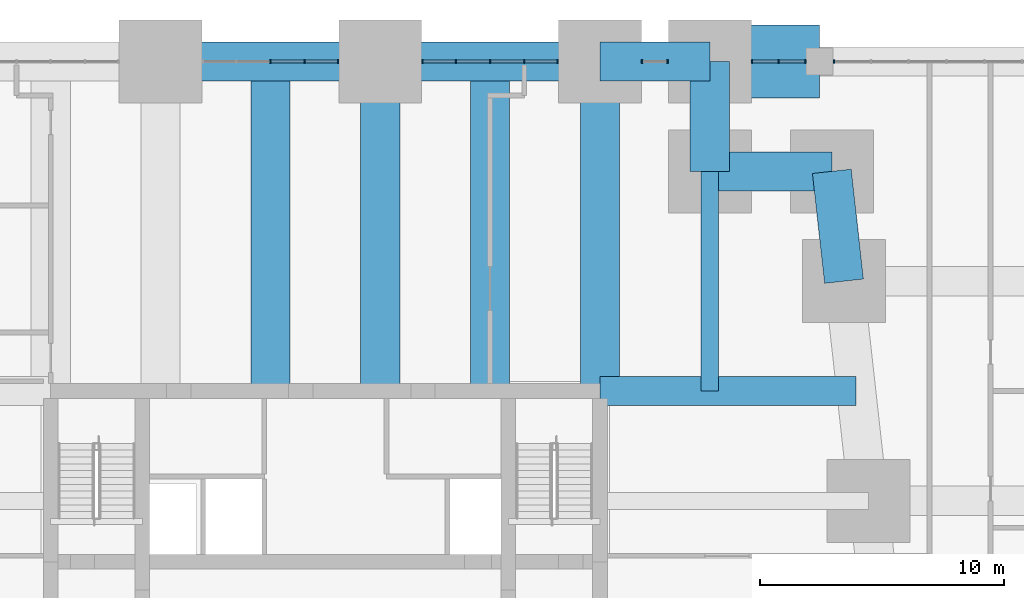
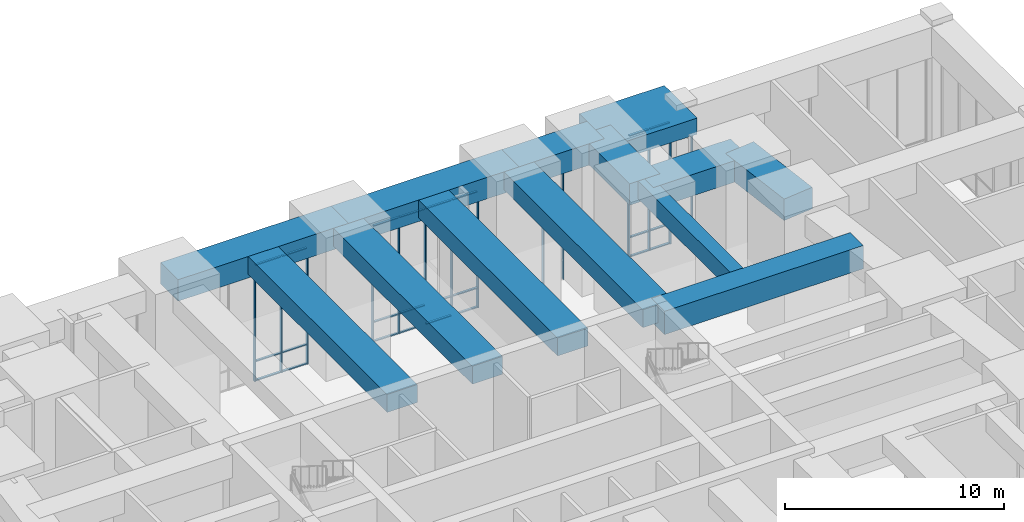
# One storey, part 10 of 26: 38 members, 13 beams, 5 elements without a shape of their own.
"""IFC4 building model written with IfcOpenShell, lengths in metres."""

from ifc_helpers import new_model, si_unit, direction, frame, origin, origin_2d, place, context, subcontext, project, spatial, rectangle, extrude, material, material_profile, profile_set, type_object, element, aggregate, save


model = new_model("IFC4")

# Units and contexts
model_context = context("Model", 3, precision=1e-05, world=origin(), true_north=direction((0.0, 1.0)))
body_context = subcontext(model_context, "Body", "Model", "MODEL_VIEW")
ifc_project = project(units=[si_unit("LENGTHUNIT", "METRE"), si_unit("AREAUNIT", "SQUARE_METRE"), si_unit("VOLUMEUNIT", "CUBIC_METRE"), si_unit("PLANEANGLEUNIT", "RADIAN"), si_unit("MASSUNIT", "GRAM", prefix="KILO")], contexts=[model_context])

# Site, building, storey
site_placement = place(None, origin())
site = spatial("IfcSite", under=ifc_project, at=site_placement, CompositionType="ELEMENT")
building_placement = place(site_placement, origin())
building = spatial("IfcBuilding", under=site, at=building_placement, Name="Kilele Tower Hotel", CompositionType="ELEMENT")
storey_placement = place(building_placement, frame((0.0, 0.0, 11.0)))
storey = spatial("IfcBuildingStorey", under=building, at=storey_placement, Name="L02", CompositionType="ELEMENT", Elevation=11.0)

# Beams
ifc_material_1 = material(Name="Concrete C60/75", Category="concrete")
ifc_material_profile_1 = material_profile(ifc_material_1, rectangle(XDim=1.60009765625, YDim=1.0, at=origin_2d()))
ifc_profile_set_1 = profile_set([ifc_material_profile_1], Name="Concrete C60/75")
beam_type_1 = type_object("IfcBeamType", Name="Beam RC 1600x1000 C60/75", PredefinedType="BEAM", material=ifc_profile_set_1)
for number, where, z_axis, x_axis, name in (
    (1, (36.0, 40.5, 7.199951171875), (0.0, -1.0, 0.0), (1.0, 0.0, 0.0), "Beam BC1 level L03"),
    (2, (31.5, 40.5, 7.199951171875), (0.0, -1.0, 0.0), (1.0, 0.0, 0.0), "Beam BC1 level L03"),
    (3, (27.0, 40.5, 7.199951171875), (0.0, -1.0, 0.0), (1.0, 0.0, 0.0), "Beam BC1 level L03"),
    (4, (22.5, 40.5, 7.199951171875), (0.0, -1.0, 0.0), (1.0, 0.0, 0.0), "Beam BC1 level L03"),
):
    element("IfcBeam", number, at=place(storey_placement, frame(where, z_axis=z_axis, x_axis=x_axis)), inside=storey, type_object=beam_type_1, Name=name, PredefinedType="BEAM", context=body_context, shape_type="SweptSolid", body=[
        extrude(rectangle(XDim=1.60009765625, YDim=1.0, at=origin_2d()), origin(), (0.0, 0.0, 1.0), 13.5),
    ])
ifc_material_2 = material(Name="Concrete C60/75", Category="concrete")
ifc_material_profile_2 = material_profile(ifc_material_2, rectangle(XDim=3.0, YDim=0.89990234375, at=origin_2d()))
ifc_profile_set_2 = profile_set([ifc_material_profile_2], Name="Concrete C60/75")
beam_type_2 = type_object("IfcBeamType", Name="Beam RC 3000x900 C60/75", PredefinedType="BEAM", material=ifc_profile_set_2)
beam_1_placement = place(storey_placement, frame((40.5, 40.5, 7.25), z_axis=(1.0, 0.0, 0.0), x_axis=(0.0, 1.0, 0.0)))
element("IfcBeam", 5, at=beam_1_placement, inside=storey, type_object=beam_type_2, Name="Beam PB1 level L03", PredefinedType="BEAM", context=body_context, shape_type="SweptSolid", body=[
    extrude(rectangle(XDim=3.0, YDim=0.89990234375, at=origin_2d()), origin(), (0.0, 0.0, 1.0), 4.5),
])
ifc_material_3 = material(Name="Concrete C60/75", Category="concrete")
ifc_material_profile_3 = material_profile(ifc_material_3, rectangle(XDim=0.699951171875, YDim=1.0, at=origin_2d()))
ifc_profile_set_3 = profile_set([ifc_material_profile_3], Name="Concrete C60/75")
beam_type_3 = type_object("IfcBeamType", Name="Beam RC 700x1000 C60/75 mid span", PredefinedType="BEAM", material=ifc_profile_set_3)
beam_2_placement = place(storey_placement, frame((40.5, 36.0, 7.199951171875), z_axis=(0.0, -1.0, 0.0), x_axis=(1.0, 0.0, 0.0)))
element("IfcBeam", 6, at=beam_2_placement, inside=storey, type_object=beam_type_3, Name="Beam B5 level L03", PredefinedType="BEAM", context=body_context, shape_type="SweptSolid", body=[
    extrude(rectangle(XDim=0.699951171875, YDim=1.0, at=origin_2d()), origin(), (0.0, 0.0, 1.0), 9.0),
])
ifc_material_4 = material(Name="Concrete C60/75", Category="concrete")
ifc_material_profile_4 = material_profile(ifc_material_4, rectangle(XDim=1.199951171875, YDim=1.300048828125, at=origin_2d()))
ifc_profile_set_4 = profile_set([ifc_material_profile_4], Name="Concrete C60/75")
beam_type_4 = type_object("IfcBeamType", Name="Girder RC 1200x1300 C60/75 mid span", PredefinedType="BEAM", material=ifc_profile_set_4)
beam_3_placement = place(storey_placement, frame((46.5, 27.0, 7.050048828125), z_axis=(-1.0, 0.0, 0.0), x_axis=(0.0, -1.0, 0.0)))
element("IfcBeam", 7, at=beam_3_placement, inside=storey, type_object=beam_type_4, Name="Girder G3 level L03", PredefinedType="BEAM", context=body_context, shape_type="SweptSolid", body=[
    extrude(rectangle(XDim=1.199951171875, YDim=1.300048828125, at=origin_2d()), origin(), (0.0, 0.0, 1.0), 10.5),
])

# Curtain wall, member
ifc_material_5 = material(Name="Aluminium curtain wall, clear double glazing", Category="aluminium")
curtain_wall_type = type_object("IfcCurtainWallType", Name="Podium curtain wall CW-1", PredefinedType="NOTDEFINED", material=ifc_material_5)
curtain_wall_1_placement = place(storey_placement, origin())
curtain_wall_1 = element("IfcCurtainWall", 8, at=curtain_wall_1_placement, inside=storey, type_object=curtain_wall_type, Name="Podium curtain wall CW-1 L02", PredefinedType="NOTDEFINED")
ifc_material_6 = material(Name="Aluminium EN AW-6063 T6", Category="aluminium")
ifc_material_profile_5 = material_profile(ifc_material_6, rectangle(XDim=0.159912109375, YDim=0.06005859375, at=origin_2d()))
ifc_profile_set_5 = profile_set([ifc_material_profile_5], Name="Aluminium EN AW-6063 T6")
member_type_1 = type_object("IfcMemberType", Name="Mullion 60x160 CW-1", PredefinedType="MULLION", material=ifc_profile_set_5)
member_1_placement = place(storey_placement, frame((45.580078125, 40.5, 0.0), z_axis=(0.0, 0.0, 1.0), x_axis=(0.0, -1.0, 0.0)))
member_1 = element("IfcMember", 9, at=member_1_placement, type_object=member_type_1, Name="CW-1 mullion 9", PredefinedType="MULLION", context=body_context, shape_type="SweptSolid", body=[
    extrude(rectangle(XDim=0.159912109375, YDim=0.06005859375, at=origin_2d()), origin(), (0.0, 0.0, 1.0), 6.0),
])
aggregate(curtain_wall_1, [member_1])

# Curtain wall, members
curtain_wall_2_placement = place(storey_placement, origin())
curtain_wall_2 = element("IfcCurtainWall", 10, at=curtain_wall_2_placement, inside=storey, type_object=curtain_wall_type, Name="Podium curtain wall CW-1 L02", PredefinedType="NOTDEFINED")
member_2_placement = place(storey_placement, frame((44.419921875, 40.5, 0.0), z_axis=(0.0, 0.0, 1.0), x_axis=(0.0, -1.0, 0.0)))
member_2 = element("IfcMember", 11, at=member_2_placement, type_object=member_type_1, Name="CW-1 mullion 1", PredefinedType="MULLION", context=body_context, shape_type="SweptSolid", body=[
    extrude(rectangle(XDim=0.159912109375, YDim=0.06005859375, at=origin_2d()), origin(), (0.0, 0.0, 1.0), 6.800048828125),
])
member_3_placement = place(storey_placement, frame((43.324951171875, 40.5, 0.0), z_axis=(0.0, 0.0, 1.0), x_axis=(0.0, -1.0, 0.0)))
member_3 = element("IfcMember", 12, at=member_3_placement, type_object=member_type_1, Name="CW-1 mullion 2", PredefinedType="MULLION", context=body_context, shape_type="SweptSolid", body=[
    extrude(rectangle(XDim=0.159912109375, YDim=0.06005859375, at=origin_2d()), origin(), (0.0, 0.0, 1.0), 6.800048828125),
])
member_4_placement = place(storey_placement, frame((42.22998046875, 40.5, 0.0), z_axis=(0.0, 0.0, 1.0), x_axis=(0.0, -1.0, 0.0)))
member_4 = element("IfcMember", 13, at=member_4_placement, type_object=member_type_1, Name="CW-1 mullion 3", PredefinedType="MULLION", context=body_context, shape_type="SweptSolid", body=[
    extrude(rectangle(XDim=0.159912109375, YDim=0.06005859375, at=origin_2d()), origin(), (0.0, 0.0, 1.0), 6.800048828125),
])

curtain_wall_3_placement = place(storey_placement, origin())
curtain_wall_3 = element("IfcCurtainWall", 14, at=curtain_wall_3_placement, inside=storey, type_object=curtain_wall_type, Name="Podium curtain wall CW-1 L02", PredefinedType="NOTDEFINED")
member_5_placement = place(storey_placement, frame((38.77001953125, 40.5, 0.0), z_axis=(0.0, 0.0, 1.0), x_axis=(0.0, -1.0, 0.0)))
member_5 = element("IfcMember", 15, at=member_5_placement, type_object=member_type_1, Name="CW-1 mullion 1", PredefinedType="MULLION", context=body_context, shape_type="SweptSolid", body=[
    extrude(rectangle(XDim=0.159912109375, YDim=0.06005859375, at=origin_2d()), origin(), (0.0, 0.0, 1.0), 6.5),
])
member_6_placement = place(storey_placement, frame((37.72998046875, 40.5, 0.0), z_axis=(0.0, 0.0, 1.0), x_axis=(0.0, -1.0, 0.0)))
member_6 = element("IfcMember", 16, at=member_6_placement, type_object=member_type_1, Name="CW-1 mullion 2", PredefinedType="MULLION", context=body_context, shape_type="SweptSolid", body=[
    extrude(rectangle(XDim=0.159912109375, YDim=0.06005859375, at=origin_2d()), origin(), (0.0, 0.0, 1.0), 6.5),
])
aggregate(curtain_wall_3, [member_5, member_6])

curtain_wall_4_placement = place(storey_placement, origin())
curtain_wall_4 = element("IfcCurtainWall", 17, at=curtain_wall_4_placement, inside=storey, type_object=curtain_wall_type, Name="Podium curtain wall CW-1 L02", PredefinedType="NOTDEFINED")
member_7_placement = place(storey_placement, frame((34.27001953125, 40.5, 0.0), z_axis=(0.0, 0.0, 1.0), x_axis=(0.0, -1.0, 0.0)))
member_7 = element("IfcMember", 18, at=member_7_placement, type_object=member_type_1, Name="CW-1 mullion 1", PredefinedType="MULLION", context=body_context, shape_type="SweptSolid", body=[
    extrude(rectangle(XDim=0.159912109375, YDim=0.06005859375, at=origin_2d()), origin(), (0.0, 0.0, 1.0), 6.5),
])
member_8_placement = place(storey_placement, frame((32.89990234375, 40.5, 0.0), z_axis=(0.0, 0.0, 1.0), x_axis=(0.0, -1.0, 0.0)))
member_8 = element("IfcMember", 19, at=member_8_placement, type_object=member_type_1, Name="CW-1 mullion 2", PredefinedType="MULLION", context=body_context, shape_type="SweptSolid", body=[
    extrude(rectangle(XDim=0.159912109375, YDim=0.06005859375, at=origin_2d()), origin(), (0.0, 0.0, 1.0), 6.5),
])
member_9_placement = place(storey_placement, frame((31.5, 40.5, 0.0), z_axis=(0.0, 0.0, 1.0), x_axis=(0.0, -1.0, 0.0)))
member_9 = element("IfcMember", 20, at=member_9_placement, type_object=member_type_1, Name="CW-1 mullion 3", PredefinedType="MULLION", context=body_context, shape_type="SweptSolid", body=[
    extrude(rectangle(XDim=0.159912109375, YDim=0.06005859375, at=origin_2d()), origin(), (0.0, 0.0, 1.0), 6.5),
])
member_10_placement = place(storey_placement, frame((30.10009765625, 40.5, 0.0), z_axis=(0.0, 0.0, 1.0), x_axis=(0.0, -1.0, 0.0)))
member_10 = element("IfcMember", 21, at=member_10_placement, type_object=member_type_1, Name="CW-1 mullion 4", PredefinedType="MULLION", context=body_context, shape_type="SweptSolid", body=[
    extrude(rectangle(XDim=0.159912109375, YDim=0.06005859375, at=origin_2d()), origin(), (0.0, 0.0, 1.0), 6.5),
])
member_11_placement = place(storey_placement, frame((28.72998046875, 40.5, 0.0), z_axis=(0.0, 0.0, 1.0), x_axis=(0.0, -1.0, 0.0)))
member_11 = element("IfcMember", 22, at=member_11_placement, type_object=member_type_1, Name="CW-1 mullion 5", PredefinedType="MULLION", context=body_context, shape_type="SweptSolid", body=[
    extrude(rectangle(XDim=0.159912109375, YDim=0.06005859375, at=origin_2d()), origin(), (0.0, 0.0, 1.0), 6.5),
])

curtain_wall_5_placement = place(storey_placement, origin())
curtain_wall_5 = element("IfcCurtainWall", 23, at=curtain_wall_5_placement, inside=storey, type_object=curtain_wall_type, Name="Podium curtain wall CW-1 L02", PredefinedType="NOTDEFINED")
member_12_placement = place(storey_placement, frame((25.27001953125, 40.5, 0.0), z_axis=(0.0, 0.0, 1.0), x_axis=(0.0, -1.0, 0.0)))
member_12 = element("IfcMember", 24, at=member_12_placement, type_object=member_type_1, Name="CW-1 mullion 1", PredefinedType="MULLION", context=body_context, shape_type="SweptSolid", body=[
    extrude(rectangle(XDim=0.159912109375, YDim=0.06005859375, at=origin_2d()), origin(), (0.0, 0.0, 1.0), 6.5),
])
member_13_placement = place(storey_placement, frame((23.89990234375, 40.5, 0.0), z_axis=(0.0, 0.0, 1.0), x_axis=(0.0, -1.0, 0.0)))
member_13 = element("IfcMember", 25, at=member_13_placement, type_object=member_type_1, Name="CW-1 mullion 2", PredefinedType="MULLION", context=body_context, shape_type="SweptSolid", body=[
    extrude(rectangle(XDim=0.159912109375, YDim=0.06005859375, at=origin_2d()), origin(), (0.0, 0.0, 1.0), 6.5),
])
member_14_placement = place(storey_placement, frame((22.5, 40.5, 0.0), z_axis=(0.0, 0.0, 1.0), x_axis=(0.0, -1.0, 0.0)))
member_14 = element("IfcMember", 26, at=member_14_placement, type_object=member_type_1, Name="CW-1 mullion 3", PredefinedType="MULLION", context=body_context, shape_type="SweptSolid", body=[
    extrude(rectangle(XDim=0.159912109375, YDim=0.06005859375, at=origin_2d()), origin(), (0.0, 0.0, 1.0), 6.5),
])

# Beams
ifc_material_7 = material(Name="Concrete C60/75", Category="concrete")
ifc_material_profile_6 = material_profile(ifc_material_7, rectangle(XDim=1.60009765625, YDim=1.199951171875, at=origin_2d()))
ifc_profile_set_6 = profile_set([ifc_material_profile_6], Name="Concrete C60/75")
beam_type_5 = type_object("IfcBeamType", Name="Spandrel RC 1600x1200 C60/75", PredefinedType="SPANDREL", material=ifc_profile_set_6)
beam_4_placement = place(storey_placement, frame((46.0, 31.5, 7.10009765625), z_axis=(-0.110431526075, 0.993883734674, 0.0), x_axis=(-0.993883734674, -0.110431526075, 0.0)))
element("IfcBeam", 27, at=beam_4_placement, inside=storey, type_object=beam_type_5, Name="Spandrel SP11 level L03", PredefinedType="SPANDREL", context=body_context, shape_type="SweptSolid", body=[
    extrude(rectangle(XDim=1.60009765625, YDim=1.199951171875, at=origin_2d()), origin(), (0.0, 0.0, 1.0), 4.527587890625),
])
beam_5_placement = place(storey_placement, frame((45.5, 36.0, 7.10009765625), z_axis=(-1.0, 0.0, 0.0), x_axis=(0.0, -1.0, 0.0)))
element("IfcBeam", 28, at=beam_5_placement, inside=storey, type_object=beam_type_5, Name="Spandrel SP11 level L03", PredefinedType="SPANDREL", context=body_context, shape_type="SweptSolid", body=[
    extrude(rectangle(XDim=1.60009765625, YDim=1.199951171875, at=origin_2d()), origin(), (0.0, 0.0, 1.0), 5.0),
])
for number, where, z_axis, x_axis, name in (
    (29, (40.5, 36.0, 7.10009765625), (0.0, 1.0, 0.0), (-1.0, 0.0, 0.0), "Spandrel SP11 level L03"),
    (30, (40.5, 40.5, 7.10009765625), (-1.0, 0.0, 0.0), (0.0, -1.0, 0.0), "Spandrel SP11 level L03"),
):
    element("IfcBeam", number, at=place(storey_placement, frame(where, z_axis=z_axis, x_axis=x_axis)), inside=storey, type_object=beam_type_5, Name=name, PredefinedType="SPANDREL", context=body_context, shape_type="SweptSolid", body=[
        extrude(rectangle(XDim=1.60009765625, YDim=1.199951171875, at=origin_2d()), origin(), (0.0, 0.0, 1.0), 4.5),
    ])
for number, where, z_axis, x_axis, name in (
    (31, (36.0, 40.5, 7.10009765625), (-1.0, 0.0, 0.0), (0.0, -1.0, 0.0), "Spandrel SP11 level L03"),
    (32, (27.0, 40.5, 7.10009765625), (-1.0, 0.0, 0.0), (0.0, -1.0, 0.0), "Spandrel SP11 level L03"),
):
    element("IfcBeam", number, at=place(storey_placement, frame(where, z_axis=z_axis, x_axis=x_axis)), inside=storey, type_object=beam_type_5, Name=name, PredefinedType="SPANDREL", context=body_context, shape_type="SweptSolid", body=[
        extrude(rectangle(XDim=1.60009765625, YDim=1.199951171875, at=origin_2d()), origin(), (0.0, 0.0, 1.0), 9.0),
    ])

# Member
ifc_material_8 = material(Name="Aluminium EN AW-6063 T6", Category="aluminium")
ifc_material_profile_7 = material_profile(ifc_material_8, rectangle(XDim=0.1201171875, YDim=0.06005859375, at=origin_2d()))
ifc_profile_set_7 = profile_set([ifc_material_profile_7], Name="Aluminium EN AW-6063 T6")
member_type_2 = type_object("IfcMemberType", Name="Transom 60x120 CW-1", PredefinedType="USERDEFINED", material=ifc_profile_set_7)
member_15_placement = place(storey_placement, frame((44.389892578125, 40.5, 0.030029296875), z_axis=(-1.0, 0.0, 0.0), x_axis=(0.0, -1.0, 0.0)))
member_15 = element("IfcMember", 33, at=member_15_placement, type_object=member_type_2, Name="CW-1 transom 1.1", ObjectType="TRANSOM", PredefinedType="USERDEFINED", context=body_context, shape_type="SweptSolid", body=[
    extrude(rectangle(XDim=0.1201171875, YDim=0.06005859375, at=origin_2d()), origin(), (0.0, 0.0, 1.0), 1.034912109375),
])

member_16_placement = place(storey_placement, frame((44.389892578125, 40.5, 1.10009765625), z_axis=(-1.0, 0.0, 0.0), x_axis=(0.0, -1.0, 0.0)))
member_16 = element("IfcMember", 34, at=member_16_placement, type_object=member_type_2, Name="CW-1 transom 1.2", ObjectType="TRANSOM", PredefinedType="USERDEFINED", context=body_context, shape_type="SweptSolid", body=[
    extrude(rectangle(XDim=0.1201171875, YDim=0.06005859375, at=origin_2d()), origin(), (0.0, 0.0, 1.0), 1.034912109375),
])

member_17_placement = place(storey_placement, frame((44.389892578125, 40.5, 6.77001953125), z_axis=(-1.0, 0.0, 0.0), x_axis=(0.0, -1.0, 0.0)))
member_17 = element("IfcMember", 35, at=member_17_placement, type_object=member_type_2, Name="CW-1 transom 1.3", ObjectType="TRANSOM", PredefinedType="USERDEFINED", context=body_context, shape_type="SweptSolid", body=[
    extrude(rectangle(XDim=0.1201171875, YDim=0.06005859375, at=origin_2d()), origin(), (0.0, 0.0, 1.0), 1.034912109375),
])

member_18_placement = place(storey_placement, frame((43.294921875, 40.5, 0.030029296875), z_axis=(-1.0, 0.0, 0.0), x_axis=(0.0, -1.0, 0.0)))
member_18 = element("IfcMember", 36, at=member_18_placement, type_object=member_type_2, Name="CW-1 transom 2.1", ObjectType="TRANSOM", PredefinedType="USERDEFINED", context=body_context, shape_type="SweptSolid", body=[
    extrude(rectangle(XDim=0.1201171875, YDim=0.06005859375, at=origin_2d()), origin(), (0.0, 0.0, 1.0), 1.034912109375),
])

member_19_placement = place(storey_placement, frame((43.294921875, 40.5, 1.10009765625), z_axis=(-1.0, 0.0, 0.0), x_axis=(0.0, -1.0, 0.0)))
member_19 = element("IfcMember", 37, at=member_19_placement, type_object=member_type_2, Name="CW-1 transom 2.2", ObjectType="TRANSOM", PredefinedType="USERDEFINED", context=body_context, shape_type="SweptSolid", body=[
    extrude(rectangle(XDim=0.1201171875, YDim=0.06005859375, at=origin_2d()), origin(), (0.0, 0.0, 1.0), 1.034912109375),
])

member_20_placement = place(storey_placement, frame((43.294921875, 40.5, 6.77001953125), z_axis=(-1.0, 0.0, 0.0), x_axis=(0.0, -1.0, 0.0)))
member_20 = element("IfcMember", 38, at=member_20_placement, type_object=member_type_2, Name="CW-1 transom 2.3", ObjectType="TRANSOM", PredefinedType="USERDEFINED", context=body_context, shape_type="SweptSolid", body=[
    extrude(rectangle(XDim=0.1201171875, YDim=0.06005859375, at=origin_2d()), origin(), (0.0, 0.0, 1.0), 1.034912109375),
])

aggregate(curtain_wall_2, [member_2, member_3, member_4, member_15, member_16, member_17, member_18, member_19, member_20])

member_21_placement = place(storey_placement, frame((34.239990234375, 40.5, 0.030029296875), z_axis=(-1.0, 0.0, 0.0), x_axis=(0.0, -1.0, 0.0)))
member_21 = element("IfcMember", 39, at=member_21_placement, type_object=member_type_2, Name="CW-1 transom 1.1", ObjectType="TRANSOM", PredefinedType="USERDEFINED", context=body_context, shape_type="SweptSolid", body=[
    extrude(rectangle(XDim=0.1201171875, YDim=0.06005859375, at=origin_2d()), origin(), (0.0, 0.0, 1.0), 1.31005859375),
])

member_22_placement = place(storey_placement, frame((34.239990234375, 40.5, 1.10009765625), z_axis=(-1.0, 0.0, 0.0), x_axis=(0.0, -1.0, 0.0)))
member_22 = element("IfcMember", 40, at=member_22_placement, type_object=member_type_2, Name="CW-1 transom 1.2", ObjectType="TRANSOM", PredefinedType="USERDEFINED", context=body_context, shape_type="SweptSolid", body=[
    extrude(rectangle(XDim=0.1201171875, YDim=0.06005859375, at=origin_2d()), origin(), (0.0, 0.0, 1.0), 1.31005859375),
])

member_23_placement = place(storey_placement, frame((34.239990234375, 40.5, 6.469970703125), z_axis=(-1.0, 0.0, 0.0), x_axis=(0.0, -1.0, 0.0)))
member_23 = element("IfcMember", 41, at=member_23_placement, type_object=member_type_2, Name="CW-1 transom 1.3", ObjectType="TRANSOM", PredefinedType="USERDEFINED", context=body_context, shape_type="SweptSolid", body=[
    extrude(rectangle(XDim=0.1201171875, YDim=0.06005859375, at=origin_2d()), origin(), (0.0, 0.0, 1.0), 1.31005859375),
])

member_24_placement = place(storey_placement, frame((32.8701171875, 40.5, 0.030029296875), z_axis=(-1.0, 0.0, 0.0), x_axis=(0.0, -1.0, 0.0)))
member_24 = element("IfcMember", 42, at=member_24_placement, type_object=member_type_2, Name="CW-1 transom 2.1", ObjectType="TRANSOM", PredefinedType="USERDEFINED", context=body_context, shape_type="SweptSolid", body=[
    extrude(rectangle(XDim=0.1201171875, YDim=0.06005859375, at=origin_2d()), origin(), (0.0, 0.0, 1.0), 1.340087890625),
])

member_25_placement = place(storey_placement, frame((32.8701171875, 40.5, 1.10009765625), z_axis=(-1.0, 0.0, 0.0), x_axis=(0.0, -1.0, 0.0)))
member_25 = element("IfcMember", 43, at=member_25_placement, type_object=member_type_2, Name="CW-1 transom 2.2", ObjectType="TRANSOM", PredefinedType="USERDEFINED", context=body_context, shape_type="SweptSolid", body=[
    extrude(rectangle(XDim=0.1201171875, YDim=0.06005859375, at=origin_2d()), origin(), (0.0, 0.0, 1.0), 1.340087890625),
])

member_26_placement = place(storey_placement, frame((32.8701171875, 40.5, 6.469970703125), z_axis=(-1.0, 0.0, 0.0), x_axis=(0.0, -1.0, 0.0)))
member_26 = element("IfcMember", 44, at=member_26_placement, type_object=member_type_2, Name="CW-1 transom 2.3", ObjectType="TRANSOM", PredefinedType="USERDEFINED", context=body_context, shape_type="SweptSolid", body=[
    extrude(rectangle(XDim=0.1201171875, YDim=0.06005859375, at=origin_2d()), origin(), (0.0, 0.0, 1.0), 1.340087890625),
])

member_27_placement = place(storey_placement, frame((31.469970703125, 40.5, 0.030029296875), z_axis=(-1.0, 0.0, 0.0), x_axis=(0.0, -1.0, 0.0)))
member_27 = element("IfcMember", 45, at=member_27_placement, type_object=member_type_2, Name="CW-1 transom 3.1", ObjectType="TRANSOM", PredefinedType="USERDEFINED", context=body_context, shape_type="SweptSolid", body=[
    extrude(rectangle(XDim=0.1201171875, YDim=0.06005859375, at=origin_2d()), origin(), (0.0, 0.0, 1.0), 1.340087890625),
])

member_28_placement = place(storey_placement, frame((31.469970703125, 40.5, 1.10009765625), z_axis=(-1.0, 0.0, 0.0), x_axis=(0.0, -1.0, 0.0)))
member_28 = element("IfcMember", 46, at=member_28_placement, type_object=member_type_2, Name="CW-1 transom 3.2", ObjectType="TRANSOM", PredefinedType="USERDEFINED", context=body_context, shape_type="SweptSolid", body=[
    extrude(rectangle(XDim=0.1201171875, YDim=0.06005859375, at=origin_2d()), origin(), (0.0, 0.0, 1.0), 1.340087890625),
])

member_29_placement = place(storey_placement, frame((31.469970703125, 40.5, 6.469970703125), z_axis=(-1.0, 0.0, 0.0), x_axis=(0.0, -1.0, 0.0)))
member_29 = element("IfcMember", 47, at=member_29_placement, type_object=member_type_2, Name="CW-1 transom 3.3", ObjectType="TRANSOM", PredefinedType="USERDEFINED", context=body_context, shape_type="SweptSolid", body=[
    extrude(rectangle(XDim=0.1201171875, YDim=0.06005859375, at=origin_2d()), origin(), (0.0, 0.0, 1.0), 1.340087890625),
])

member_30_placement = place(storey_placement, frame((30.070068359375, 40.5, 0.030029296875), z_axis=(-1.0, 0.0, 0.0), x_axis=(0.0, -1.0, 0.0)))
member_30 = element("IfcMember", 48, at=member_30_placement, type_object=member_type_2, Name="CW-1 transom 4.1", ObjectType="TRANSOM", PredefinedType="USERDEFINED", context=body_context, shape_type="SweptSolid", body=[
    extrude(rectangle(XDim=0.1201171875, YDim=0.06005859375, at=origin_2d()), origin(), (0.0, 0.0, 1.0), 1.31005859375),
])

member_31_placement = place(storey_placement, frame((30.070068359375, 40.5, 1.10009765625), z_axis=(-1.0, 0.0, 0.0), x_axis=(0.0, -1.0, 0.0)))
member_31 = element("IfcMember", 49, at=member_31_placement, type_object=member_type_2, Name="CW-1 transom 4.2", ObjectType="TRANSOM", PredefinedType="USERDEFINED", context=body_context, shape_type="SweptSolid", body=[
    extrude(rectangle(XDim=0.1201171875, YDim=0.06005859375, at=origin_2d()), origin(), (0.0, 0.0, 1.0), 1.31005859375),
])

member_32_placement = place(storey_placement, frame((30.070068359375, 40.5, 6.469970703125), z_axis=(-1.0, 0.0, 0.0), x_axis=(0.0, -1.0, 0.0)))
member_32 = element("IfcMember", 50, at=member_32_placement, type_object=member_type_2, Name="CW-1 transom 4.3", ObjectType="TRANSOM", PredefinedType="USERDEFINED", context=body_context, shape_type="SweptSolid", body=[
    extrude(rectangle(XDim=0.1201171875, YDim=0.06005859375, at=origin_2d()), origin(), (0.0, 0.0, 1.0), 1.31005859375),
])

aggregate(curtain_wall_4, [member_7, member_8, member_9, member_10, member_11, member_21, member_22, member_23, member_24, member_25, member_26, member_27, member_28, member_29, member_30, member_31, member_32])

member_33_placement = place(storey_placement, frame((25.239990234375, 40.5, 0.030029296875), z_axis=(-1.0, 0.0, 0.0), x_axis=(0.0, -1.0, 0.0)))
member_33 = element("IfcMember", 51, at=member_33_placement, type_object=member_type_2, Name="CW-1 transom 1.1", ObjectType="TRANSOM", PredefinedType="USERDEFINED", context=body_context, shape_type="SweptSolid", body=[
    extrude(rectangle(XDim=0.1201171875, YDim=0.06005859375, at=origin_2d()), origin(), (0.0, 0.0, 1.0), 1.31005859375),
])

member_34_placement = place(storey_placement, frame((25.239990234375, 40.5, 1.10009765625), z_axis=(-1.0, 0.0, 0.0), x_axis=(0.0, -1.0, 0.0)))
member_34 = element("IfcMember", 52, at=member_34_placement, type_object=member_type_2, Name="CW-1 transom 1.2", ObjectType="TRANSOM", PredefinedType="USERDEFINED", context=body_context, shape_type="SweptSolid", body=[
    extrude(rectangle(XDim=0.1201171875, YDim=0.06005859375, at=origin_2d()), origin(), (0.0, 0.0, 1.0), 1.31005859375),
])

member_35_placement = place(storey_placement, frame((25.239990234375, 40.5, 6.469970703125), z_axis=(-1.0, 0.0, 0.0), x_axis=(0.0, -1.0, 0.0)))
member_35 = element("IfcMember", 53, at=member_35_placement, type_object=member_type_2, Name="CW-1 transom 1.3", ObjectType="TRANSOM", PredefinedType="USERDEFINED", context=body_context, shape_type="SweptSolid", body=[
    extrude(rectangle(XDim=0.1201171875, YDim=0.06005859375, at=origin_2d()), origin(), (0.0, 0.0, 1.0), 1.31005859375),
])

member_36_placement = place(storey_placement, frame((23.8701171875, 40.5, 0.030029296875), z_axis=(-1.0, 0.0, 0.0), x_axis=(0.0, -1.0, 0.0)))
member_36 = element("IfcMember", 54, at=member_36_placement, type_object=member_type_2, Name="CW-1 transom 2.1", ObjectType="TRANSOM", PredefinedType="USERDEFINED", context=body_context, shape_type="SweptSolid", body=[
    extrude(rectangle(XDim=0.1201171875, YDim=0.06005859375, at=origin_2d()), origin(), (0.0, 0.0, 1.0), 1.340087890625),
])

member_37_placement = place(storey_placement, frame((23.8701171875, 40.5, 1.10009765625), z_axis=(-1.0, 0.0, 0.0), x_axis=(0.0, -1.0, 0.0)))
member_37 = element("IfcMember", 55, at=member_37_placement, type_object=member_type_2, Name="CW-1 transom 2.2", ObjectType="TRANSOM", PredefinedType="USERDEFINED", context=body_context, shape_type="SweptSolid", body=[
    extrude(rectangle(XDim=0.1201171875, YDim=0.06005859375, at=origin_2d()), origin(), (0.0, 0.0, 1.0), 1.340087890625),
])

member_38_placement = place(storey_placement, frame((23.8701171875, 40.5, 6.469970703125), z_axis=(-1.0, 0.0, 0.0), x_axis=(0.0, -1.0, 0.0)))
member_38 = element("IfcMember", 56, at=member_38_placement, type_object=member_type_2, Name="CW-1 transom 2.3", ObjectType="TRANSOM", PredefinedType="USERDEFINED", context=body_context, shape_type="SweptSolid", body=[
    extrude(rectangle(XDim=0.1201171875, YDim=0.06005859375, at=origin_2d()), origin(), (0.0, 0.0, 1.0), 1.340087890625),
])

aggregate(curtain_wall_5, [member_12, member_13, member_14, member_33, member_34, member_35, member_36, member_37, member_38])

save(model, "model.ifc")
